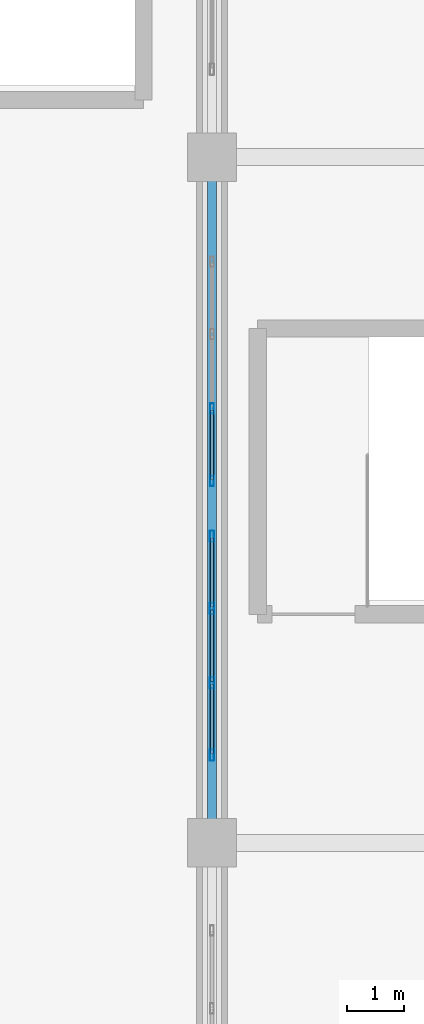
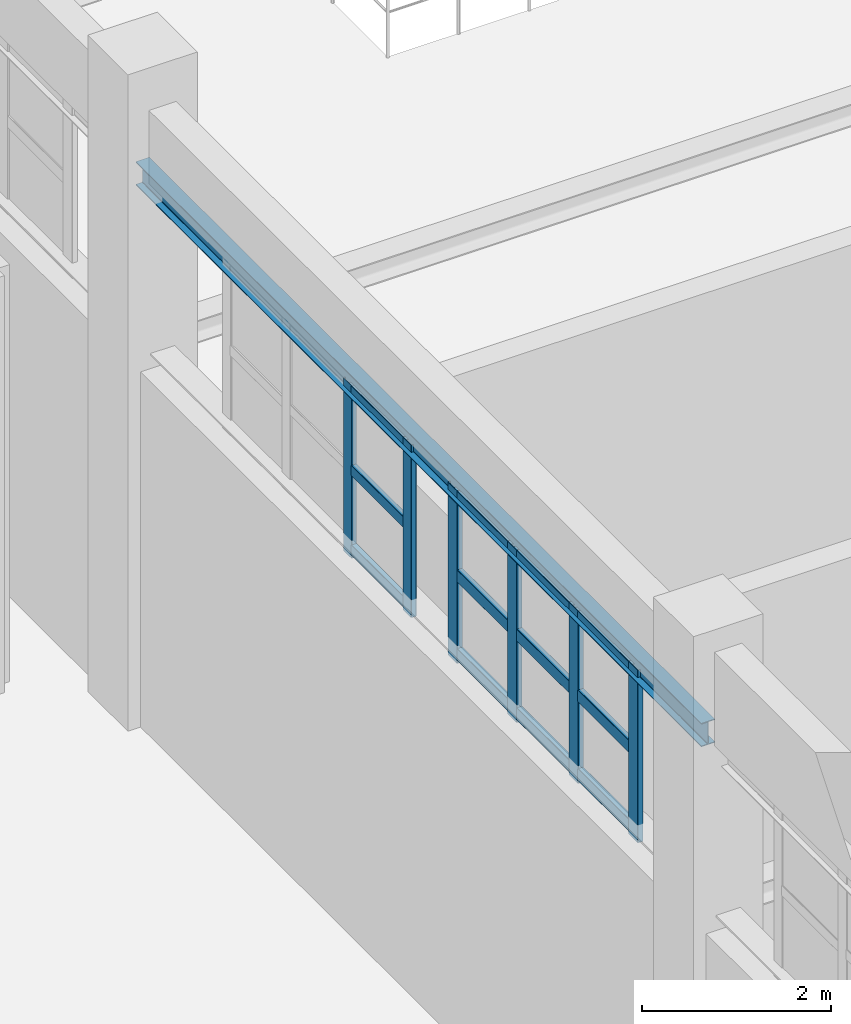
# One storey, part 49 of 97: 18 members, 1 beam, 2 elements without a shape of their own.
"""IFC4 building model written with IfcOpenShell, lengths in metres."""

from ifc_helpers import new_model, si_unit, derived_unit, direction, frame, origin, origin_2d, place, context, subcontext, project, spatial, hollow_rectangle, i_section, extrude, material, layer, layer_set, material_profile, profile_set, type_object, element, aggregate, save


model = new_model("IFC4")

# Units and contexts
model_context = context("Model", 3, precision=1e-05, world=origin(), true_north=direction((0.0, 1.0)))
body_context = subcontext(model_context, "Body", "Model", "MODEL_VIEW")
ifc_project = project(units=[si_unit("LENGTHUNIT", "METRE"), si_unit("AREAUNIT", "SQUARE_METRE"), si_unit("VOLUMEUNIT", "CUBIC_METRE"), si_unit("PLANEANGLEUNIT", "RADIAN"), si_unit("MASSUNIT", "GRAM", prefix="KILO"), derived_unit("THERMALTRANSMITTANCEUNIT", [(si_unit("POWERUNIT", "WATT"), 1), (si_unit("LENGTHUNIT", "METRE"), -2), (si_unit("THERMODYNAMICTEMPERATUREUNIT", "KELVIN"), -1)])], contexts=[model_context])

# Site, building, storey
site_placement = place(None, origin())
site = spatial("IfcSite", under=ifc_project, at=site_placement, CompositionType="ELEMENT")
building_placement = place(site_placement, origin())
building = spatial("IfcBuilding", under=site, at=building_placement, Name="Almenara Railside Exhibition Hall", CompositionType="ELEMENT")
storey_placement = place(building_placement, frame((0.0, 0.0, 10.800048828125)))
storey = spatial("IfcBuildingStorey", under=building, at=storey_placement, Name="L02", CompositionType="ELEMENT", Elevation=10.800048828125)

# Curtain wall, members
ifc_material_1 = material(Name="Bronze-anodised aluminium and low-E double glazing", Category="aluminium")
ifc_layer = layer(ifc_material_1, 0.179931640625, Name="Bronze-anodised aluminium and low-E double glazing")
ifc_layer_set = layer_set([ifc_layer], Name="Bronze-anodised aluminium and low-E double glazing")
curtain_wall_type = type_object("IfcCurtainWallType", Name="West Hall Clerestory Curtain Wall 3900x2200", PredefinedType="NOTDEFINED", material=ifc_layer_set)
curtain_wall_1_placement = place(storey_placement, origin())
curtain_wall_1 = element("IfcCurtainWall", 1, at=curtain_wall_1_placement, inside=storey, type_object=curtain_wall_type, Name="Curtain wall CW-CL2-012", PredefinedType="NOTDEFINED")
ifc_material_2 = material(Name="Bronze-anodised aluminium", Category="aluminium")
ifc_material_profile_1 = material_profile(ifc_material_2, hollow_rectangle(XDim=0.06494140625, YDim=0.179931640625, WallThickness=0.00390625, InnerFilletRadius=0.00390625, OuterFilletRadius=0.008056640625, at=origin_2d()), Name="ALU-MUL 65x180x4")
ifc_profile_set_1 = profile_set([ifc_material_profile_1], Name="Bronze-anodised aluminium")
member_type_1 = type_object("IfcMemberType", Name="Curtain Wall Mullion 65x180x4", PredefinedType="MULLION", material=ifc_profile_set_1)
member_1_placement = place(storey_placement, frame((66.0, 78.33251953125, 4.56494140625), z_axis=(0.0, 0.0, 1.0), x_axis=(-1.0, 0.0, 0.0)))
member_1 = element("IfcMember", 2, at=member_1_placement, type_object=member_type_1, Name="CW-CL2-012 mullion 1", PredefinedType="MULLION", context=body_context, shape_type="SweptSolid", body=[
    extrude(hollow_rectangle(XDim=0.06494140625, YDim=0.179931640625, WallThickness=0.00390625, InnerFilletRadius=0.00390625, OuterFilletRadius=0.008056640625, at=origin_2d()), origin(), (0.0, 0.0, 1.0), 2.235107421875),
])
member_2_placement = place(storey_placement, frame((66.0, 79.60009765625, 4.56494140625), z_axis=(0.0, 0.0, 1.0), x_axis=(-1.0, 0.0, 0.0)))
member_2 = element("IfcMember", 3, at=member_2_placement, type_object=member_type_1, Name="CW-CL2-012 mullion 2", PredefinedType="MULLION", context=body_context, shape_type="SweptSolid", body=[
    extrude(hollow_rectangle(XDim=0.06494140625, YDim=0.179931640625, WallThickness=0.00390625, InnerFilletRadius=0.00390625, OuterFilletRadius=0.008056640625, at=origin_2d()), origin(), (0.0, 0.0, 1.0), 2.235107421875),
])

curtain_wall_2_placement = place(storey_placement, origin())
curtain_wall_2 = element("IfcCurtainWall", 4, at=curtain_wall_2_placement, inside=storey, type_object=curtain_wall_type, Name="Curtain wall CW-CL2-011", PredefinedType="NOTDEFINED")
ifc_material_profile_2 = material_profile(ifc_material_2, hollow_rectangle(XDim=0.070068359375, YDim=0.199951171875, WallThickness=0.00439453125, InnerFilletRadius=0.00439453125, OuterFilletRadius=0.009033203125, at=origin_2d()), Name="ALU-MUL 70x200x4.5")
ifc_profile_set_2 = profile_set([ifc_material_profile_2], Name="Bronze-anodised aluminium")
member_type_2 = type_object("IfcMemberType", Name="Curtain Wall Mullion 70x200x4.5", PredefinedType="MULLION", material=ifc_profile_set_2)
member_3_placement = place(storey_placement, frame((66.0, 73.534912109375, 4.56494140625), z_axis=(0.0, 0.0, 1.0), x_axis=(-1.0, 0.0, 0.0)))
member_3 = element("IfcMember", 5, at=member_3_placement, type_object=member_type_2, Name="CW-CL2-011 mullion 1", PredefinedType="MULLION", context=body_context, shape_type="SweptSolid", body=[
    extrude(hollow_rectangle(XDim=0.070068359375, YDim=0.199951171875, WallThickness=0.00439453125, InnerFilletRadius=0.00439453125, OuterFilletRadius=0.009033203125, at=origin_2d()), origin(), (0.0, 0.0, 1.0), 2.235107421875),
])
member_4_placement = place(storey_placement, frame((66.0, 74.800048828125, 4.56494140625), z_axis=(0.0, 0.0, 1.0), x_axis=(-1.0, 0.0, 0.0)))
member_4 = element("IfcMember", 6, at=member_4_placement, type_object=member_type_2, Name="CW-CL2-011 mullion 2", PredefinedType="MULLION", context=body_context, shape_type="SweptSolid", body=[
    extrude(hollow_rectangle(XDim=0.070068359375, YDim=0.199951171875, WallThickness=0.00439453125, InnerFilletRadius=0.00439453125, OuterFilletRadius=0.009033203125, at=origin_2d()), origin(), (0.0, 0.0, 1.0), 2.235107421875),
])
member_5_placement = place(storey_placement, frame((66.0, 76.10009765625, 4.56494140625), z_axis=(0.0, 0.0, 1.0), x_axis=(-1.0, 0.0, 0.0)))
member_5 = element("IfcMember", 7, at=member_5_placement, type_object=member_type_2, Name="CW-CL2-011 mullion 3", PredefinedType="MULLION", context=body_context, shape_type="SweptSolid", body=[
    extrude(hollow_rectangle(XDim=0.070068359375, YDim=0.199951171875, WallThickness=0.00439453125, InnerFilletRadius=0.00439453125, OuterFilletRadius=0.009033203125, at=origin_2d()), origin(), (0.0, 0.0, 1.0), 2.235107421875),
])
member_6_placement = place(storey_placement, frame((66.0, 77.364990234375, 4.56494140625), z_axis=(0.0, 0.0, 1.0), x_axis=(-1.0, 0.0, 0.0)))
member_6 = element("IfcMember", 8, at=member_6_placement, type_object=member_type_2, Name="CW-CL2-011 mullion 4", PredefinedType="MULLION", context=body_context, shape_type="SweptSolid", body=[
    extrude(hollow_rectangle(XDim=0.070068359375, YDim=0.199951171875, WallThickness=0.00439453125, InnerFilletRadius=0.00439453125, OuterFilletRadius=0.009033203125, at=origin_2d()), origin(), (0.0, 0.0, 1.0), 2.235107421875),
])

# Member
ifc_material_profile_3 = material_profile(ifc_material_2, hollow_rectangle(XDim=0.06494140625, YDim=0.139892578125, WallThickness=0.00341796875, InnerFilletRadius=0.00341796875, OuterFilletRadius=0.007080078125, at=origin_2d()), Name="ALU-TRN 65x140x3.5")
ifc_profile_set_3 = profile_set([ifc_material_profile_3], Name="Bronze-anodised aluminium")
member_type_3 = type_object("IfcMemberType", Name="Curtain Wall Transom 65x140x3.5", PredefinedType="USERDEFINED", material=ifc_profile_set_3)
member_7_placement = place(storey_placement, frame((66.0, 78.35693359375, 4.669921875), z_axis=(0.0, 1.0, 0.0), x_axis=(-1.0, 0.0, 0.0)))
member_7 = element("IfcMember", 9, at=member_7_placement, type_object=member_type_3, Name="CW-CL2-012 transom 1.1", ObjectType="TRANSOM", PredefinedType="USERDEFINED", context=body_context, shape_type="SweptSolid", body=[
    extrude(hollow_rectangle(XDim=0.06494140625, YDim=0.139892578125, WallThickness=0.00341796875, InnerFilletRadius=0.00341796875, OuterFilletRadius=0.007080078125, at=origin_2d()), origin(), (0.0, 0.0, 1.0), 1.218505859375),
])

member_8_placement = place(storey_placement, frame((66.0, 78.35693359375, 5.699951171875), z_axis=(0.0, 1.0, 0.0), x_axis=(-1.0, 0.0, 0.0)))
member_8 = element("IfcMember", 10, at=member_8_placement, type_object=member_type_3, Name="CW-CL2-012 transom 1.2", ObjectType="TRANSOM", PredefinedType="USERDEFINED", context=body_context, shape_type="SweptSolid", body=[
    extrude(hollow_rectangle(XDim=0.06494140625, YDim=0.139892578125, WallThickness=0.00341796875, InnerFilletRadius=0.00341796875, OuterFilletRadius=0.007080078125, at=origin_2d()), origin(), (0.0, 0.0, 1.0), 1.218505859375),
])

member_9_placement = place(storey_placement, frame((66.0, 78.35693359375, 6.72998046875), z_axis=(0.0, 1.0, 0.0), x_axis=(-1.0, 0.0, 0.0)))
member_9 = element("IfcMember", 11, at=member_9_placement, type_object=member_type_3, Name="CW-CL2-012 transom 1.3", ObjectType="TRANSOM", PredefinedType="USERDEFINED", context=body_context, shape_type="SweptSolid", body=[
    extrude(hollow_rectangle(XDim=0.06494140625, YDim=0.139892578125, WallThickness=0.00341796875, InnerFilletRadius=0.00341796875, OuterFilletRadius=0.007080078125, at=origin_2d()), origin(), (0.0, 0.0, 1.0), 1.218505859375),
])

aggregate(curtain_wall_1, [member_1, member_2, member_7, member_8, member_9])

ifc_material_profile_4 = material_profile(ifc_material_2, hollow_rectangle(XDim=0.070068359375, YDim=0.159912109375, WallThickness=0.00390625, InnerFilletRadius=0.00390625, OuterFilletRadius=0.008056640625, at=origin_2d()), Name="ALU-TRN 70x160x4")
ifc_profile_set_4 = profile_set([ifc_material_profile_4], Name="Bronze-anodised aluminium")
member_type_4 = type_object("IfcMemberType", Name="Curtain Wall Transom 70x160x4", PredefinedType="USERDEFINED", material=ifc_profile_set_4)
member_10_placement = place(storey_placement, frame((66.0, 73.56201171875, 4.679931640625), z_axis=(0.0, 1.0, 0.0), x_axis=(-1.0, 0.0, 0.0)))
member_10 = element("IfcMember", 12, at=member_10_placement, type_object=member_type_4, Name="CW-CL2-011 transom 1.1", ObjectType="TRANSOM", PredefinedType="USERDEFINED", context=body_context, shape_type="SweptSolid", body=[
    extrude(hollow_rectangle(XDim=0.070068359375, YDim=0.159912109375, WallThickness=0.00390625, InnerFilletRadius=0.00390625, OuterFilletRadius=0.008056640625, at=origin_2d()), origin(), (0.0, 0.0, 1.0), 1.2109375),
])

member_11_placement = place(storey_placement, frame((66.0, 73.56201171875, 5.699951171875), z_axis=(0.0, 1.0, 0.0), x_axis=(-1.0, 0.0, 0.0)))
member_11 = element("IfcMember", 13, at=member_11_placement, type_object=member_type_4, Name="CW-CL2-011 transom 1.2", ObjectType="TRANSOM", PredefinedType="USERDEFINED", context=body_context, shape_type="SweptSolid", body=[
    extrude(hollow_rectangle(XDim=0.070068359375, YDim=0.159912109375, WallThickness=0.00390625, InnerFilletRadius=0.00390625, OuterFilletRadius=0.008056640625, at=origin_2d()), origin(), (0.0, 0.0, 1.0), 1.2109375),
])

member_12_placement = place(storey_placement, frame((66.0, 73.56201171875, 6.719970703125), z_axis=(0.0, 1.0, 0.0), x_axis=(-1.0, 0.0, 0.0)))
member_12 = element("IfcMember", 14, at=member_12_placement, type_object=member_type_4, Name="CW-CL2-011 transom 1.3", ObjectType="TRANSOM", PredefinedType="USERDEFINED", context=body_context, shape_type="SweptSolid", body=[
    extrude(hollow_rectangle(XDim=0.070068359375, YDim=0.159912109375, WallThickness=0.00390625, InnerFilletRadius=0.00390625, OuterFilletRadius=0.008056640625, at=origin_2d()), origin(), (0.0, 0.0, 1.0), 1.2109375),
])

member_13_placement = place(storey_placement, frame((66.0, 74.826904296875, 4.679931640625), z_axis=(0.0, 1.0, 0.0), x_axis=(-1.0, 0.0, 0.0)))
member_13 = element("IfcMember", 15, at=member_13_placement, type_object=member_type_4, Name="CW-CL2-011 transom 2.1", ObjectType="TRANSOM", PredefinedType="USERDEFINED", context=body_context, shape_type="SweptSolid", body=[
    extrude(hollow_rectangle(XDim=0.070068359375, YDim=0.159912109375, WallThickness=0.00390625, InnerFilletRadius=0.00390625, OuterFilletRadius=0.008056640625, at=origin_2d()), origin(), (0.0, 0.0, 1.0), 1.24609375),
])

member_14_placement = place(storey_placement, frame((66.0, 74.826904296875, 5.699951171875), z_axis=(0.0, 1.0, 0.0), x_axis=(-1.0, 0.0, 0.0)))
member_14 = element("IfcMember", 16, at=member_14_placement, type_object=member_type_4, Name="CW-CL2-011 transom 2.2", ObjectType="TRANSOM", PredefinedType="USERDEFINED", context=body_context, shape_type="SweptSolid", body=[
    extrude(hollow_rectangle(XDim=0.070068359375, YDim=0.159912109375, WallThickness=0.00390625, InnerFilletRadius=0.00390625, OuterFilletRadius=0.008056640625, at=origin_2d()), origin(), (0.0, 0.0, 1.0), 1.24609375),
])

member_15_placement = place(storey_placement, frame((66.0, 74.826904296875, 6.719970703125), z_axis=(0.0, 1.0, 0.0), x_axis=(-1.0, 0.0, 0.0)))
member_15 = element("IfcMember", 17, at=member_15_placement, type_object=member_type_4, Name="CW-CL2-011 transom 2.3", ObjectType="TRANSOM", PredefinedType="USERDEFINED", context=body_context, shape_type="SweptSolid", body=[
    extrude(hollow_rectangle(XDim=0.070068359375, YDim=0.159912109375, WallThickness=0.00390625, InnerFilletRadius=0.00390625, OuterFilletRadius=0.008056640625, at=origin_2d()), origin(), (0.0, 0.0, 1.0), 1.24609375),
])

member_16_placement = place(storey_placement, frame((66.0, 76.126953125, 4.679931640625), z_axis=(0.0, 1.0, 0.0), x_axis=(-1.0, 0.0, 0.0)))
member_16 = element("IfcMember", 18, at=member_16_placement, type_object=member_type_4, Name="CW-CL2-011 transom 3.1", ObjectType="TRANSOM", PredefinedType="USERDEFINED", context=body_context, shape_type="SweptSolid", body=[
    extrude(hollow_rectangle(XDim=0.070068359375, YDim=0.159912109375, WallThickness=0.00390625, InnerFilletRadius=0.00390625, OuterFilletRadius=0.008056640625, at=origin_2d()), origin(), (0.0, 0.0, 1.0), 1.2109375),
])

member_17_placement = place(storey_placement, frame((66.0, 76.126953125, 5.699951171875), z_axis=(0.0, 1.0, 0.0), x_axis=(-1.0, 0.0, 0.0)))
member_17 = element("IfcMember", 19, at=member_17_placement, type_object=member_type_4, Name="CW-CL2-011 transom 3.2", ObjectType="TRANSOM", PredefinedType="USERDEFINED", context=body_context, shape_type="SweptSolid", body=[
    extrude(hollow_rectangle(XDim=0.070068359375, YDim=0.159912109375, WallThickness=0.00390625, InnerFilletRadius=0.00390625, OuterFilletRadius=0.008056640625, at=origin_2d()), origin(), (0.0, 0.0, 1.0), 1.2109375),
])

member_18_placement = place(storey_placement, frame((66.0, 76.126953125, 6.719970703125), z_axis=(0.0, 1.0, 0.0), x_axis=(-1.0, 0.0, 0.0)))
member_18 = element("IfcMember", 20, at=member_18_placement, type_object=member_type_4, Name="CW-CL2-011 transom 3.3", ObjectType="TRANSOM", PredefinedType="USERDEFINED", context=body_context, shape_type="SweptSolid", body=[
    extrude(hollow_rectangle(XDim=0.070068359375, YDim=0.159912109375, WallThickness=0.00390625, InnerFilletRadius=0.00390625, OuterFilletRadius=0.008056640625, at=origin_2d()), origin(), (0.0, 0.0, 1.0), 1.2109375),
])

aggregate(curtain_wall_2, [member_3, member_4, member_5, member_6, member_10, member_11, member_12, member_13, member_14, member_15, member_16, member_17, member_18])

# Beam
ifc_material_3 = material(Name="Structural steel S355JR", Category="steel")
ifc_material_profile_5 = material_profile(ifc_material_3, i_section(OverallWidth=0.1650390625, OverallDepth=0.303466796875, WebThickness=0.006103515625, FlangeThickness=0.01025390625, FilletRadius=0.0087890625, at=origin_2d()), Name="UB 305x165x40")
ifc_profile_set_5 = profile_set([ifc_material_profile_5], Name="Structural steel S355JR")
beam_type = type_object("IfcBeamType", Name="Steel Canopy Edge Spandrel UB 305x165x40 S355JR", PredefinedType="SPANDREL", material=ifc_profile_set_5)
beam_placement = place(storey_placement, frame((66.0, 72.0, 6.84814453125), z_axis=(0.0, 1.0, 0.0), x_axis=(-1.0, 0.0, 0.0)))
element("IfcBeam", 21, at=beam_placement, inside=storey, type_object=beam_type, Name="BM-CRNLNT-V1-66-72", PredefinedType="SPANDREL", context=body_context, shape_type="SweptSolid", body=[
    extrude(i_section(OverallWidth=0.1650390625, OverallDepth=0.303466796875, WebThickness=0.006103515625, FlangeThickness=0.01025390625, FilletRadius=0.0087890625, at=origin_2d()), origin(), (0.0, 0.0, 1.0), 12.0),
])

save(model, "model.ifc")
